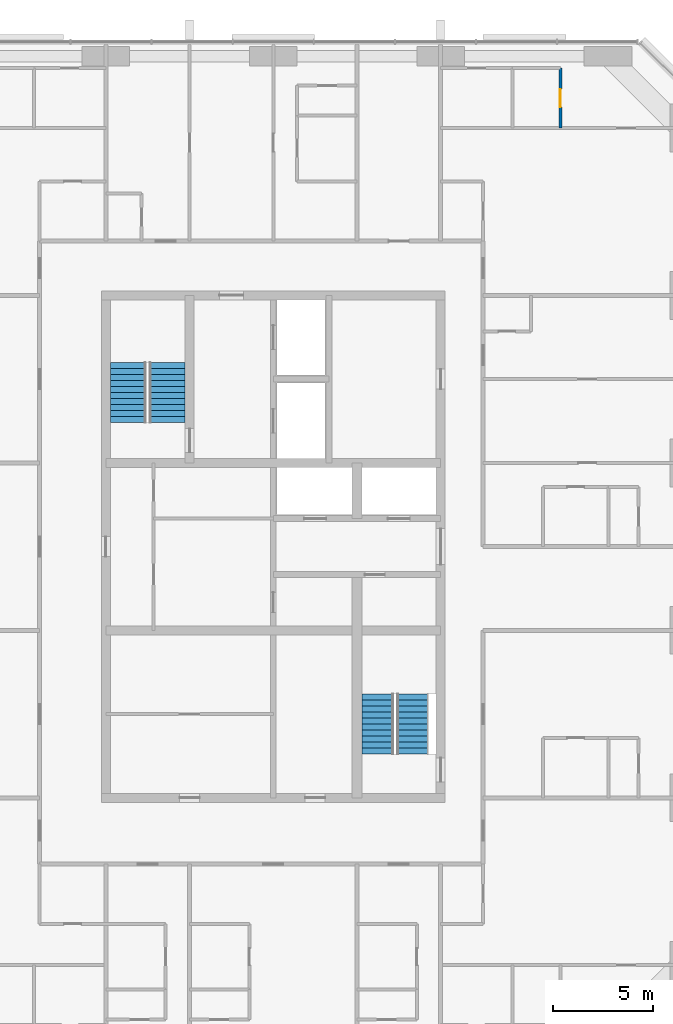
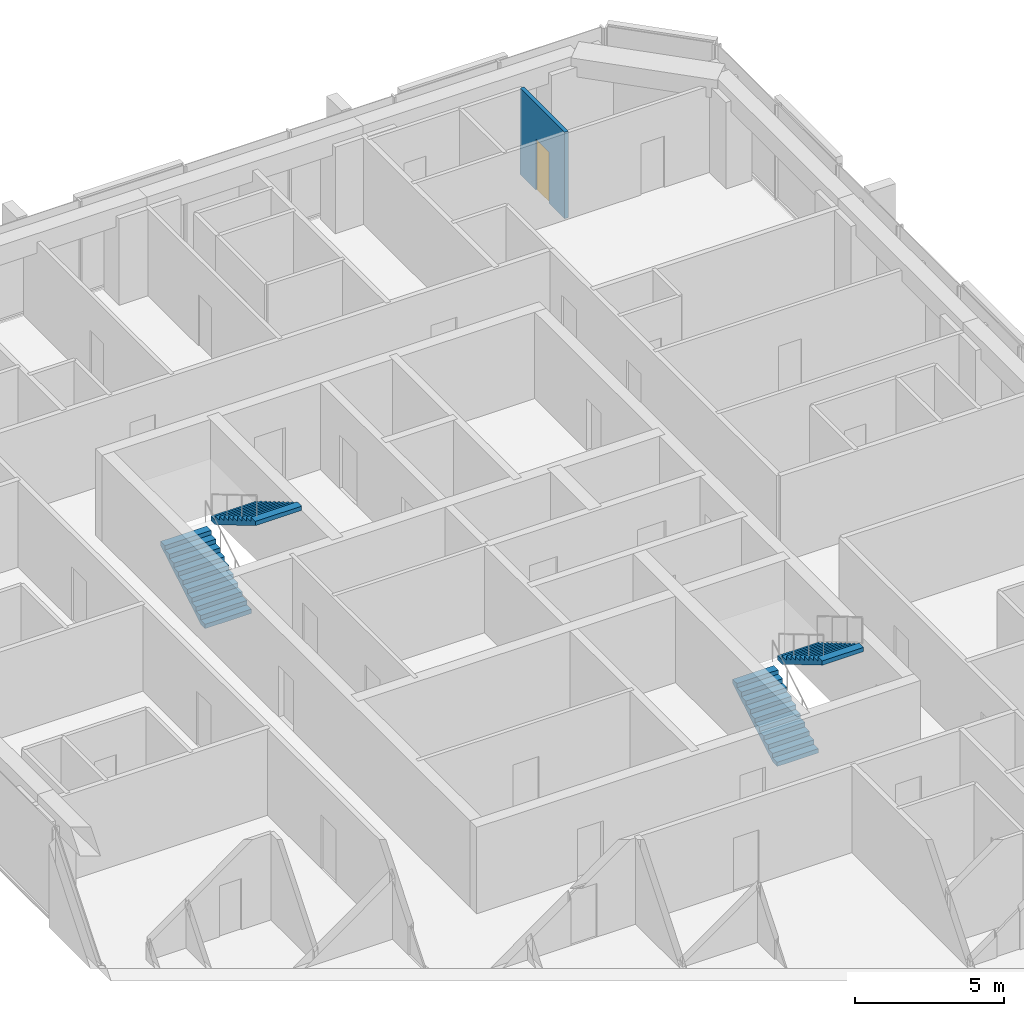
# One storey, part 11 of 12: 4 stair flights, 1 door, 1 wall, 1 opening, 2 elements without a shape of their own.
"""IFC4 building model written with IfcOpenShell, lengths in metres."""

from ifc_helpers import new_model, si_unit, direction, frame, frame_2d, origin, place, context, subcontext, project, spatial, polyline, rectangle, outline, extrude, material, layer, layer_set, type_object, element, fill, aggregate, save


model = new_model("IFC4")

# Units and contexts
model_context = context("Model", 3, precision=1e-05, world=origin(), true_north=direction((0.0, 1.0)))
body_context = subcontext(model_context, "Body", "Model", "MODEL_VIEW")
ifc_project = project(units=[si_unit("LENGTHUNIT", "METRE"), si_unit("AREAUNIT", "SQUARE_METRE"), si_unit("VOLUMEUNIT", "CUBIC_METRE"), si_unit("PLANEANGLEUNIT", "RADIAN"), si_unit("MASSUNIT", "GRAM", prefix="KILO")], contexts=[model_context])

# Site, building, storey
site_placement = place(None, origin())
site = spatial("IfcSite", under=ifc_project, at=site_placement, CompositionType="ELEMENT")
building_placement = place(site_placement, origin())
building = spatial("IfcBuilding", under=site, at=building_placement, Name="Dunama Terrace Hotel", CompositionType="ELEMENT")
storey_placement = place(building_placement, frame((0.0, 0.0, 241.199951171875)))
storey = spatial("IfcBuildingStorey", under=building, at=storey_placement, Name="L62", CompositionType="ELEMENT", Elevation=241.199951171875)

# Wall, opening, door
ifc_material_1 = material(Name="Gypsum board partition", Category="masonry")
ifc_layer = layer(ifc_material_1, 0.14990234375)
ifc_layer_set = layer_set([ifc_layer], Name="Room partition 150")
wall_type = type_object("IfcWallType", Name="Room partition 150", PredefinedType="PARTITIONING", material=ifc_layer_set)
wall_placement = place(storey_placement, frame((48.0, 50.39990234375, 0.0), z_axis=(0.0, 0.0, 1.0), x_axis=(0.0, 1.0, 0.0)))
wall = element("IfcWall", 1, at=wall_placement, inside=storey, type_object=wall_type, Name="Room partition 150 L62", PredefinedType="PARTITIONING", context=body_context, shape_type="SweptSolid", body=[
    extrude(rectangle(XDim=3.0, YDim=0.14990234375, at=frame_2d((1.5, 0.0))), origin(), (0.0, 0.0, 1.0), 3.550048828125),
])
opening_placement = place(wall_placement, frame((1.050048828125, 0.0, 0.0)))
opening = element("IfcOpeningElement", 2, at=opening_placement, cuts=wall, Name="Opening L62-64-055", PredefinedType="OPENING", context=body_context, shape_type="SweptSolid", body=[
    extrude(rectangle(XDim=0.89990234375, YDim=2.10009765625, at=frame_2d((0.449951171875, 1.050048828125))), frame((0.0, 0.0849609375, 0.0), z_axis=(0.0, -1.0, 0.0), x_axis=(1.0, 0.0, 0.0)), (0.0, 0.0, 1.0), 0.169921875),
])
ifc_material_2 = material(Name="Timber door with steel frame", Category="steel")
door_type = type_object("IfcDoorType", Name="Suite internal door 900", OperationType="SINGLE_SWING_LEFT", PredefinedType="DOOR", material=ifc_material_2)
door_placement = place(opening_placement, origin())
door = element("IfcDoor", 3, at=door_placement, inside=storey, type_object=door_type, Name="Door to dressing room L62-64-055, type D16", OperationType="SINGLE_SWING_LEFT", OverallHeight=2.10009765625, OverallWidth=0.89990234375, PredefinedType="DOOR", context=body_context, shape_type="SweptSolid", body=[
    extrude(rectangle(XDim=0.89990234375, YDim=2.10009765625, at=frame_2d((0.449951171875, 1.050048828125))), frame((0.0, 0.02490234375, 0.0), z_axis=(0.0, -1.0, 0.0), x_axis=(1.0, 0.0, 0.0)), (0.0, 0.0, 1.0), 0.050048828125),
])
fill(opening, door)

# Stair, stair flights
ifc_material_3 = material(Name="Concrete C40/50", Category="concrete")
stair_type_1 = type_object("IfcStairType", Name="Stair ST1-3900-1800", PredefinedType="HALF_TURN_STAIR", material=ifc_material_3)
stair_1_placement = place(storey_placement, origin())
stair_1 = element("IfcStair", 4, at=stair_1_placement, inside=storey, type_object=stair_type_1, Name="Stair ST1 L62", PredefinedType="HALF_TURN_STAIR")
ifc_material_4 = material(Name="Concrete C40/50", Category="concrete")
stair_flight_type_1 = type_object("IfcStairFlightType", Name="Stair flight ST1-3900-1800", PredefinedType="STRAIGHT", material=ifc_material_4)
stair_flight_1_placement = place(storey_placement, frame((26.324951171875, 35.625, 0.0), z_axis=(0.0, 0.0, 1.0), x_axis=(0.0, 1.0, 0.0)))
stair_flight_1 = element("IfcStairFlight", 5, at=stair_flight_1_placement, type_object=stair_flight_type_1, Name="ST1 flight 1", NumberOfRisers=11, NumberOfTreads=10, PredefinedType="STRAIGHT", RiserHeight=0.177272727, TreadLength=0.3, context=body_context, shape_type="SweptSolid", body=[
    extrude(outline(polyline([(0.0, 0.0), (0.0, 0.17724609375), (0.300048828125, 0.17724609375), (0.300048828125, 0.3544921875), (0.60009765625, 0.3544921875), (0.60009765625, 0.53173828125), (0.89990234375, 0.53173828125), (0.89990234375, 0.708984375), (1.199951171875, 0.708984375), (1.199951171875, 0.886474609375), (1.5, 0.886474609375), (1.5, 1.063720703125), (1.800048828125, 1.063720703125), (1.800048828125, 1.240966796875), (2.10009765625, 1.240966796875), (2.10009765625, 1.418212890625), (2.39990234375, 1.418212890625), (2.39990234375, 1.595458984375), (2.699951171875, 1.595458984375), (2.699951171875, 1.772705078125), (3.0, 1.772705078125), (3.0, 1.949951171875), (3.0, 1.5986328125), (0.294677734375, 0.0), (0.0, 0.0)])), frame((0.0, 0.89990234375, 0.0), z_axis=(0.0, -1.0, 0.0), x_axis=(1.0, 0.0, 0.0)), (0.0, 0.0, 1.0), 1.800048828125),
])
stair_flight_2_placement = place(storey_placement, frame((28.27490234375, 38.625, 1.949951171875), z_axis=(0.0, 0.0, 1.0), x_axis=(0.0, -1.0, 0.0)))
stair_flight_2 = element("IfcStairFlight", 6, at=stair_flight_2_placement, type_object=stair_flight_type_1, Name="ST1 flight 2", NumberOfRisers=11, NumberOfTreads=10, PredefinedType="STRAIGHT", RiserHeight=0.177272727, TreadLength=0.3, context=body_context, shape_type="SweptSolid", body=[
    extrude(outline(polyline([(0.0, 0.0), (0.0, 0.17724609375), (0.300048828125, 0.17724609375), (0.300048828125, 0.3544921875), (0.60009765625, 0.3544921875), (0.60009765625, 0.53173828125), (0.89990234375, 0.53173828125), (0.89990234375, 0.708984375), (1.199951171875, 0.708984375), (1.199951171875, 0.886474609375), (1.5, 0.886474609375), (1.5, 1.063720703125), (1.800048828125, 1.063720703125), (1.800048828125, 1.240966796875), (2.10009765625, 1.240966796875), (2.10009765625, 1.418212890625), (2.39990234375, 1.418212890625), (2.39990234375, 1.595458984375), (2.699951171875, 1.595458984375), (2.699951171875, 1.772705078125), (3.0, 1.772705078125), (3.0, 1.949951171875), (3.0, 1.5986328125), (0.294677734375, 0.0), (0.0, 0.0)])), frame((0.0, 0.89990234375, 0.0), z_axis=(0.0, -1.0, 0.0), x_axis=(1.0, 0.0, 0.0)), (0.0, 0.0, 1.0), 1.800048828125),
])
aggregate(stair_1, [stair_flight_1, stair_flight_2])

ifc_material_5 = material(Name="Concrete C40/50", Category="concrete")
stair_type_2 = type_object("IfcStairType", Name="Stair ST2-3900-1600", PredefinedType="HALF_TURN_STAIR", material=ifc_material_5)
stair_2_placement = place(storey_placement, origin())
stair_2 = element("IfcStair", 7, at=stair_2_placement, inside=storey, type_object=stair_type_2, Name="Stair ST2 L62", PredefinedType="HALF_TURN_STAIR")
ifc_material_6 = material(Name="Concrete C40/50", Category="concrete")
stair_flight_type_2 = type_object("IfcStairFlightType", Name="Stair flight ST2-3900-1600", PredefinedType="STRAIGHT", material=ifc_material_6)
stair_flight_3_placement = place(storey_placement, frame((38.85009765625, 19.0, 0.0), z_axis=(0.0, 0.0, 1.0), x_axis=(0.0, 1.0, 0.0)))
stair_flight_3 = element("IfcStairFlight", 8, at=stair_flight_3_placement, type_object=stair_flight_type_2, Name="ST2 flight 1", NumberOfRisers=11, NumberOfTreads=10, PredefinedType="STRAIGHT", RiserHeight=0.177272727, TreadLength=0.3, context=body_context, shape_type="SweptSolid", body=[
    extrude(outline(polyline([(0.0, 0.0), (0.0, 0.17724609375), (0.300048828125, 0.17724609375), (0.300048828125, 0.3544921875), (0.60009765625, 0.3544921875), (0.60009765625, 0.53173828125), (0.89990234375, 0.53173828125), (0.89990234375, 0.708984375), (1.199951171875, 0.708984375), (1.199951171875, 0.886474609375), (1.5, 0.886474609375), (1.5, 1.063720703125), (1.800048828125, 1.063720703125), (1.800048828125, 1.240966796875), (2.10009765625, 1.240966796875), (2.10009765625, 1.418212890625), (2.39990234375, 1.418212890625), (2.39990234375, 1.595458984375), (2.699951171875, 1.595458984375), (2.699951171875, 1.772705078125), (3.0, 1.772705078125), (3.0, 1.949951171875), (3.0, 1.5986328125), (0.294677734375, 0.0), (0.0, 0.0)])), frame((0.0, 0.800048828125, 0.0), z_axis=(0.0, -1.0, 0.0), x_axis=(1.0, 0.0, 0.0)), (0.0, 0.0, 1.0), 1.60009765625),
])
stair_flight_4_placement = place(storey_placement, frame((40.60009765625, 22.0, 1.949951171875), z_axis=(0.0, 0.0, 1.0), x_axis=(0.0, -1.0, 0.0)))
stair_flight_4 = element("IfcStairFlight", 9, at=stair_flight_4_placement, type_object=stair_flight_type_2, Name="ST2 flight 2", NumberOfRisers=11, NumberOfTreads=10, PredefinedType="STRAIGHT", RiserHeight=0.177272727, TreadLength=0.3, context=body_context, shape_type="SweptSolid", body=[
    extrude(outline(polyline([(0.0, 0.0), (0.0, 0.17724609375), (0.300048828125, 0.17724609375), (0.300048828125, 0.3544921875), (0.60009765625, 0.3544921875), (0.60009765625, 0.53173828125), (0.89990234375, 0.53173828125), (0.89990234375, 0.708984375), (1.199951171875, 0.708984375), (1.199951171875, 0.886474609375), (1.5, 0.886474609375), (1.5, 1.063720703125), (1.800048828125, 1.063720703125), (1.800048828125, 1.240966796875), (2.10009765625, 1.240966796875), (2.10009765625, 1.418212890625), (2.39990234375, 1.418212890625), (2.39990234375, 1.595458984375), (2.699951171875, 1.595458984375), (2.699951171875, 1.772705078125), (3.0, 1.772705078125), (3.0, 1.949951171875), (3.0, 1.5986328125), (0.294677734375, 0.0), (0.0, 0.0)])), frame((0.0, 0.800048828125, 0.0), z_axis=(0.0, -1.0, 0.0), x_axis=(1.0, 0.0, 0.0)), (0.0, 0.0, 1.0), 1.60009765625),
])
aggregate(stair_2, [stair_flight_3, stair_flight_4])

save(model, "model.ifc")
